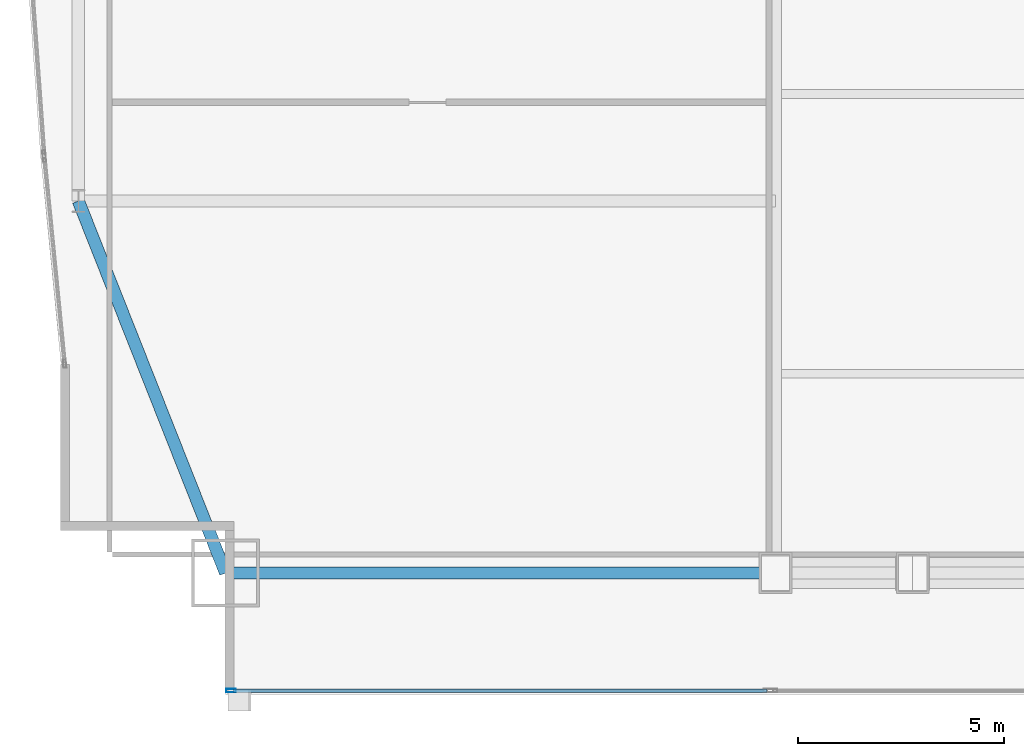
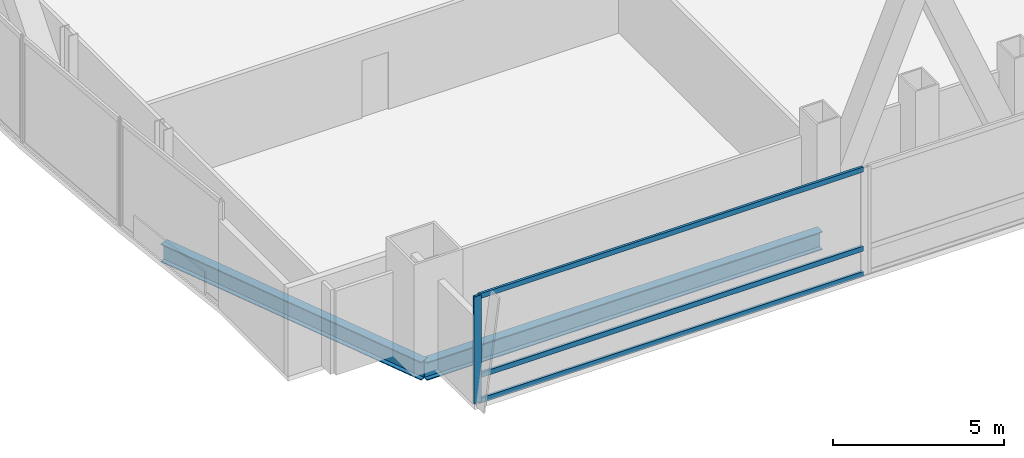
# One storey, part 5 of 33: 4 members, 2 beams, 1 element without a shape of its own.
"""IFC4 building model written with IfcOpenShell, lengths in metres."""

from ifc_helpers import new_model, si_unit, direction, frame, origin, origin_2d, place, context, subcontext, project, spatial, hollow_rectangle, i_section, extrude, material, material_profile, profile_set, type_object, element, aggregate, save


model = new_model("IFC4")

# Units and contexts
model_context = context("Model", 3, precision=1e-05, world=origin(), true_north=direction((0.0, 1.0)))
body_context = subcontext(model_context, "Body", "Model", "MODEL_VIEW")
ifc_project = project(units=[si_unit("LENGTHUNIT", "METRE"), si_unit("AREAUNIT", "SQUARE_METRE"), si_unit("VOLUMEUNIT", "CUBIC_METRE"), si_unit("PLANEANGLEUNIT", "RADIAN"), si_unit("MASSUNIT", "GRAM", prefix="KILO")], contexts=[model_context])

# Site, building, storey
site_placement = place(None, origin())
site = spatial("IfcSite", under=ifc_project, at=site_placement, CompositionType="ELEMENT")
building_placement = place(site_placement, origin())
building = spatial("IfcBuilding", under=site, at=building_placement, Name="Khoronbel Lancet Exchange", CompositionType="ELEMENT")
storey_placement = place(building_placement, frame((0.0, 0.0, 73.800048828125)))
storey = spatial("IfcBuildingStorey", under=building, at=storey_placement, Name="L17", CompositionType="ELEMENT", Elevation=73.800048828125)

# Beams
ifc_material_1 = material(Name="Steel S355", Category="steel")
ifc_material_profile_1 = material_profile(ifc_material_1, i_section(OverallWidth=0.300048828125, OverallDepth=0.64990234375, WebThickness=0.01611328125, FlangeThickness=0.031005859375, at=origin_2d()), Name="HEB 650")
ifc_profile_set_1 = profile_set([ifc_material_profile_1], Name="Steel S355")
beam_type = type_object("IfcBeamType", Name="BM-BSP1", PredefinedType="SPANDREL", material=ifc_profile_set_1)
beam_1_placement = place(storey_placement, frame((4.85009765625, 10.14990234375, -0.505126953125), z_axis=(1.0, 0.0, 0.0), x_axis=(0.0, 1.0, 0.0)))
element("IfcBeam", 1, at=beam_1_placement, inside=storey, type_object=beam_type, Name="Level L17 perimeter spandrel beam SP01", PredefinedType="SPANDREL", context=body_context, shape_type="SweptSolid", body=[
    extrude(i_section(OverallWidth=0.300048828125, OverallDepth=0.64990234375, WebThickness=0.01611328125, FlangeThickness=0.031005859375, at=origin_2d()), origin(), (0.0, 0.0, 1.0), 13.375),
])
beam_2_placement = place(storey_placement, frame((1.27001953125, 19.199951171875, -0.505126953125), z_axis=(0.367850095026, -0.92988510451, 0.0), x_axis=(0.92988510451, 0.367850095026, 0.0)))
element("IfcBeam", 2, at=beam_2_placement, inside=storey, type_object=beam_type, Name="Level L17 perimeter spandrel beam SP21", PredefinedType="SPANDREL", context=body_context, shape_type="SweptSolid", body=[
    extrude(i_section(OverallWidth=0.300048828125, OverallDepth=0.64990234375, WebThickness=0.01611328125, FlangeThickness=0.031005859375, at=origin_2d()), origin(), (0.0, 0.0, 1.0), 9.732421875),
])

# Curtain wall, members
ifc_material_2 = material(Name="Low-E Solar Control Insulating Glass", Category="glass")
curtain_wall_type = type_object("IfcCurtainWallType", Name="CW-1", PredefinedType="NOTDEFINED", material=ifc_material_2)
curtain_wall_placement = place(storey_placement, origin())
curtain_wall = element("IfcCurtainWall", 3, at=curtain_wall_placement, inside=storey, type_object=curtain_wall_type, Name="Unitised curtain wall CW-L17-SWV", PredefinedType="NOTDEFINED")
ifc_material_3 = material(Name="Bronze-Anodised Aluminium 6063-T6", Category="aluminium")
ifc_material_profile_2 = material_profile(ifc_material_3, hollow_rectangle(XDim=0.0849609375, YDim=0.239990234375, WallThickness=0.006103515625, at=origin_2d()), Name="ALU MULLION 85x240")
ifc_profile_set_2 = profile_set([ifc_material_profile_2], Name="Bronze-Anodised Aluminium 6063-T6")
member_type_1 = type_object("IfcMemberType", Name="MEM-CWM1", PredefinedType="MULLION", material=ifc_profile_set_2)
member_1_placement = place(storey_placement, frame((4.982421875, 7.2900390625, 0.0), z_axis=(0.0, 0.0, 1.0), x_axis=(0.0, 1.0, 0.0)))
member_1 = element("IfcMember", 4, at=member_1_placement, type_object=member_type_1, Name="CW1 mullion 1", PredefinedType="MULLION", context=body_context, shape_type="SweptSolid", body=[
    extrude(hollow_rectangle(XDim=0.0849609375, YDim=0.239990234375, WallThickness=0.006103515625, at=origin_2d()), origin(), (0.0, 0.0, 1.0), 3.820068359375),
])
ifc_material_profile_3 = material_profile(ifc_material_3, hollow_rectangle(XDim=0.0849609375, YDim=0.179931640625, WallThickness=0.0048828125, at=origin_2d()), Name="ALU TRANSOM 85x180")
ifc_profile_set_3 = profile_set([ifc_material_profile_3], Name="Bronze-Anodised Aluminium 6063-T6")
member_type_2 = type_object("IfcMemberType", Name="MEM-CWT1", PredefinedType="USERDEFINED", material=ifc_profile_set_3)
member_2_placement = place(storey_placement, frame((5.02490234375, 7.2900390625, 0.04248046875), z_axis=(1.0, 0.0, 0.0), x_axis=(0.0, 1.0, 0.0)))
member_2 = element("IfcMember", 5, at=member_2_placement, type_object=member_type_2, Name="CW1 transom 1.1", ObjectType="TRANSOM", PredefinedType="USERDEFINED", context=body_context, shape_type="SweptSolid", body=[
    extrude(hollow_rectangle(XDim=0.0849609375, YDim=0.179931640625, WallThickness=0.0048828125, at=origin_2d()), origin(), (0.0, 0.0, 1.0), 12.989990234375),
])
member_3_placement = place(storey_placement, frame((5.02490234375, 7.2900390625, 0.949951171875), z_axis=(1.0, 0.0, 0.0), x_axis=(0.0, 1.0, 0.0)))
member_3 = element("IfcMember", 6, at=member_3_placement, type_object=member_type_2, Name="CW1 transom 1.2", ObjectType="TRANSOM", PredefinedType="USERDEFINED", context=body_context, shape_type="SweptSolid", body=[
    extrude(hollow_rectangle(XDim=0.0849609375, YDim=0.179931640625, WallThickness=0.0048828125, at=origin_2d()), origin(), (0.0, 0.0, 1.0), 12.989990234375),
])
member_4_placement = place(storey_placement, frame((5.02490234375, 7.2900390625, 3.77734375), z_axis=(1.0, 0.0, 0.0), x_axis=(0.0, 1.0, 0.0)))
member_4 = element("IfcMember", 7, at=member_4_placement, type_object=member_type_2, Name="CW1 transom 1.3", ObjectType="TRANSOM", PredefinedType="USERDEFINED", context=body_context, shape_type="SweptSolid", body=[
    extrude(hollow_rectangle(XDim=0.0849609375, YDim=0.179931640625, WallThickness=0.0048828125, at=origin_2d()), origin(), (0.0, 0.0, 1.0), 12.989990234375),
])
aggregate(curtain_wall, [member_1, member_2, member_3, member_4])

save(model, "model.ifc")
